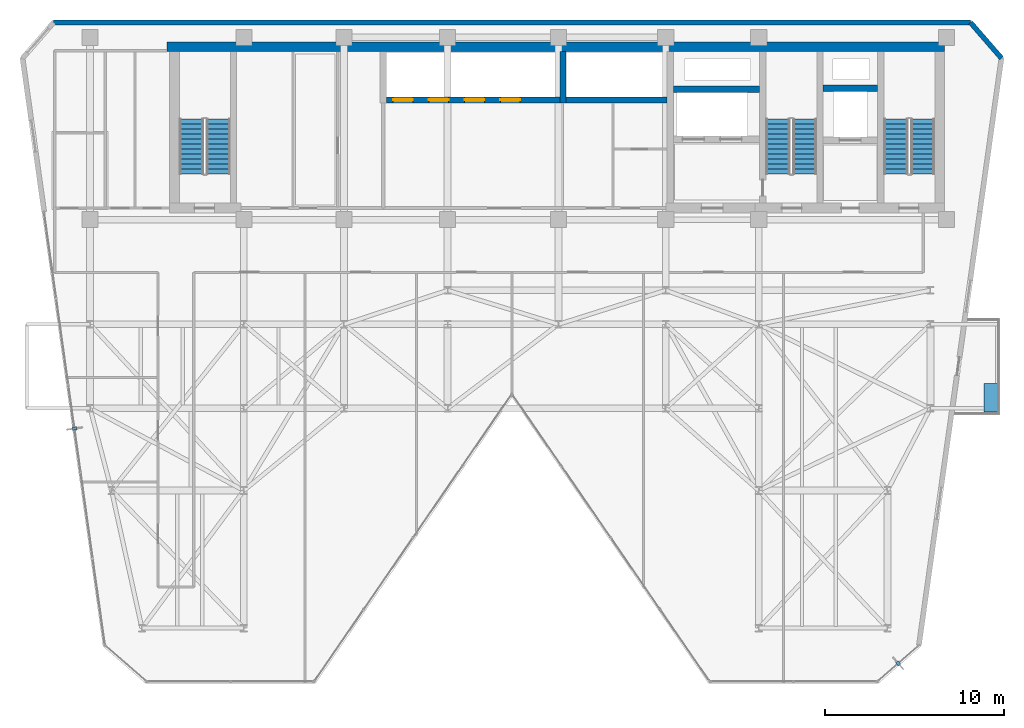
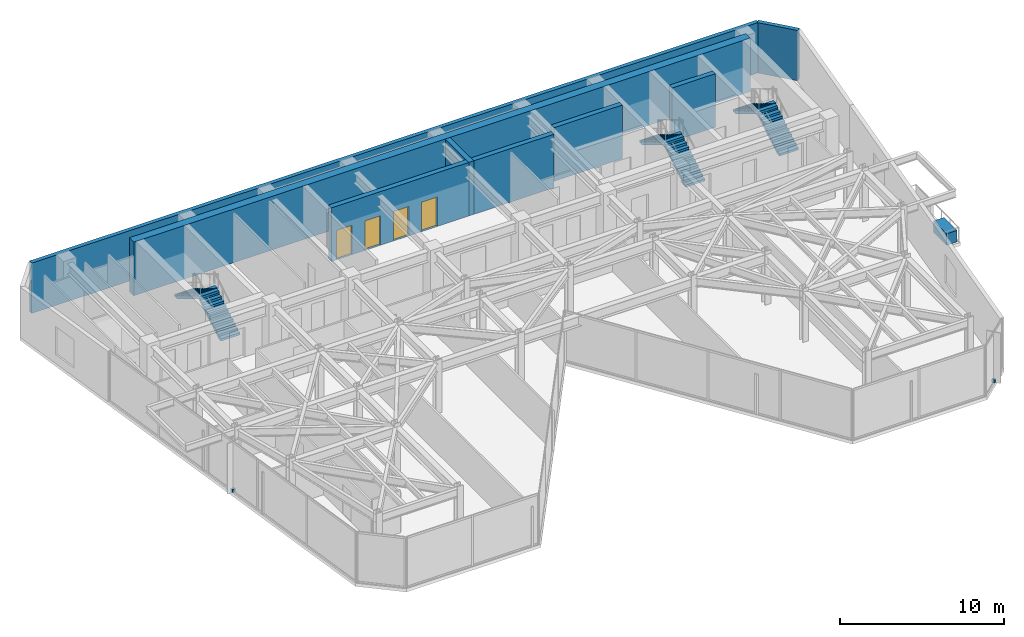
# One storey, part 24 of 27: 8 walls, 6 stair flights, 4 doors, 3 discrete accessories, 4 openings, 3 elements without a shape of their own.
"""IFC4 building model written with IfcOpenShell, lengths in metres."""

from ifc_helpers import new_model, si_unit, direction, frame, frame_2d, origin, origin_2d, place, context, subcontext, project, spatial, polyline, rectangle, outline, extrude, material, layer, layer_set, type_object, element, fill, aggregate, save


model = new_model("IFC4")

# Units and contexts
model_context = context("Model", 3, precision=1e-05, world=origin(), true_north=direction((0.0, 1.0)))
body_context = subcontext(model_context, "Body", "Model", "MODEL_VIEW")
ifc_project = project(units=[si_unit("LENGTHUNIT", "METRE"), si_unit("AREAUNIT", "SQUARE_METRE"), si_unit("VOLUMEUNIT", "CUBIC_METRE"), si_unit("PLANEANGLEUNIT", "RADIAN"), si_unit("MASSUNIT", "GRAM", prefix="KILO")], contexts=[model_context])

# Site, building, storey
site_placement = place(None, origin())
site = spatial("IfcSite", under=ifc_project, at=site_placement, CompositionType="ELEMENT")
building_placement = place(site_placement, origin())
building = spatial("IfcBuilding", under=site, at=building_placement, Name="Kravanh Interchange Tower", CompositionType="ELEMENT")
storey_placement = place(building_placement, frame((0.0, 0.0, 188.5)))
storey = spatial("IfcBuildingStorey", under=building, at=storey_placement, Name="L45", CompositionType="ELEMENT", Elevation=188.5)

# Walls
ifc_material_1 = material(Name="Concrete C60/75", Category="concrete")
ifc_layer_1 = layer(ifc_material_1, 0.35009765625)
ifc_layer_set_1 = layer_set([ifc_layer_1], Name="Core Shear Wall Concrete C60/75 350mm")
wall_type_1 = type_object("IfcWallType", Name="Core Shear Wall Concrete C60/75 350mm", PredefinedType="SHEAR", material=ifc_layer_set_1)
wall_1_placement = place(storey_placement, frame((59.60009765625, 44.699951171875, 0.0), z_axis=(0.0, 0.0, 1.0), x_axis=(1.0, 0.0, 0.0)))
element("IfcWall", 1, at=wall_1_placement, inside=storey, type_object=wall_type_1, Name="L45 Service Lift Shaft North Wall", PredefinedType="SHEAR", context=body_context, shape_type="SweptSolid", body=[
    extrude(rectangle(XDim=3.0498046875, YDim=0.35009765625, at=frame_2d((1.52490234375, 0.0))), origin(), (0.0, 0.0, 1.0), 4.0),
])
wall_2_placement = place(storey_placement, frame((51.22509765625, 44.64990234375, 0.0), z_axis=(0.0, 0.0, 1.0), x_axis=(1.0, 0.0, 0.0)))
element("IfcWall", 2, at=wall_2_placement, inside=storey, type_object=wall_type_1, Name="L45 Fire Lift Shaft North Wall", PredefinedType="SHEAR", context=body_context, shape_type="SweptSolid", body=[
    extrude(rectangle(XDim=4.824951171875, YDim=0.35009765625, at=frame_2d((2.41259765625, 0.0))), origin(), (0.0, 0.0, 1.0), 4.0),
])
wall_3_placement = place(storey_placement, frame((45.22509765625, 44.050048828125, 0.0), z_axis=(0.0, 0.0, 1.0), x_axis=(1.0, 0.0, 0.0)))
element("IfcWall", 3, at=wall_3_placement, inside=storey, type_object=wall_type_1, Name="L45 High-Rise Lift Shaft South Wall", PredefinedType="SHEAR", context=body_context, shape_type="SweptSolid", body=[
    extrude(rectangle(XDim=5.64990234375, YDim=0.35009765625, at=frame_2d((2.824951171875, 0.0))), origin(), (0.0, 0.0, 1.0), 4.0),
])
wall_4_placement = place(storey_placement, frame((45.050048828125, 43.875, 0.0), z_axis=(0.0, 0.0, 1.0), x_axis=(0.0, 1.0, 0.0)))
element("IfcWall", 4, at=wall_4_placement, inside=storey, type_object=wall_type_1, Name="L45 High-Rise Lift Shaft West Wall", PredefinedType="SHEAR", context=body_context, shape_type="SweptSolid", body=[
    extrude(rectangle(XDim=2.875, YDim=0.35009765625, at=frame_2d((1.4375, 0.0))), origin(), (0.0, 0.0, 1.0), 4.0),
])

# Wall, openings, doors
wall_5_placement = place(storey_placement, frame((35.175048828125, 44.050048828125, 0.0), z_axis=(0.0, 0.0, 1.0), x_axis=(1.0, 0.0, 0.0)))
wall_5 = element("IfcWall", 5, at=wall_5_placement, inside=storey, type_object=wall_type_1, Name="L45 Mid-Rise Lift Shaft South Wall", PredefinedType="SHEAR", context=body_context, shape_type="SweptSolid", body=[
    extrude(rectangle(XDim=9.699951171875, YDim=0.35009765625, at=frame_2d((4.85009765625, 0.0))), origin(), (0.0, 0.0, 1.0), 4.0),
])
opening_1_placement = place(wall_5_placement, frame((0.375, 0.0, 0.0)))
opening_1 = element("IfcOpeningElement", 6, at=opening_1_placement, cuts=wall_5, Name="Opening LD01", PredefinedType="OPENING", context=body_context, shape_type="SweptSolid", body=[
    extrude(rectangle(XDim=1.10009765625, YDim=2.199951171875, at=frame_2d((0.550048828125, 1.10009765625))), frame((0.0, 0.18505859375, 0.0), z_axis=(0.0, -1.0, 0.0), x_axis=(1.0, 0.0, 0.0)), (0.0, 0.0, 1.0), 0.3701171875),
])
opening_2_placement = place(wall_5_placement, frame((2.375, 0.0, 0.0)))
opening_2 = element("IfcOpeningElement", 7, at=opening_2_placement, cuts=wall_5, Name="Opening LD01", PredefinedType="OPENING", context=body_context, shape_type="SweptSolid", body=[
    extrude(rectangle(XDim=1.10009765625, YDim=2.199951171875, at=frame_2d((0.550048828125, 1.10009765625))), frame((0.0, 0.18505859375, 0.0), z_axis=(0.0, -1.0, 0.0), x_axis=(1.0, 0.0, 0.0)), (0.0, 0.0, 1.0), 0.3701171875),
])
opening_3_placement = place(wall_5_placement, frame((4.375, 0.0, 0.0)))
opening_3 = element("IfcOpeningElement", 8, at=opening_3_placement, cuts=wall_5, Name="Opening LD01", PredefinedType="OPENING", context=body_context, shape_type="SweptSolid", body=[
    extrude(rectangle(XDim=1.10009765625, YDim=2.199951171875, at=frame_2d((0.550048828125, 1.10009765625))), frame((0.0, 0.18505859375, 0.0), z_axis=(0.0, -1.0, 0.0), x_axis=(1.0, 0.0, 0.0)), (0.0, 0.0, 1.0), 0.3701171875),
])
opening_4_placement = place(wall_5_placement, frame((6.375, 0.0, 0.0)))
opening_4 = element("IfcOpeningElement", 9, at=opening_4_placement, cuts=wall_5, Name="Opening LD01", PredefinedType="OPENING", context=body_context, shape_type="SweptSolid", body=[
    extrude(rectangle(XDim=1.10009765625, YDim=2.199951171875, at=frame_2d((0.550048828125, 1.10009765625))), frame((0.0, 0.18505859375, 0.0), z_axis=(0.0, -1.0, 0.0), x_axis=(1.0, 0.0, 0.0)), (0.0, 0.0, 1.0), 0.3701171875),
])
ifc_material_2 = material(Name="Stainless Steel 304", Category="steel")
door_type = type_object("IfcDoorType", Name="Passenger Lift Sliding Landing Door 1100x2200", OperationType="DOUBLE_DOOR_SLIDING", PredefinedType="DOOR", material=ifc_material_2)
door_1_placement = place(opening_1_placement, origin())
door_1 = element("IfcDoor", 10, at=door_1_placement, inside=storey, type_object=door_type, Name="L45 Lift LP-M1 Landing Door", OperationType="DOUBLE_DOOR_SLIDING", OverallHeight=2.199951171875, OverallWidth=1.10009765625, PredefinedType="DOOR", context=body_context, shape_type="SweptSolid", body=[
    extrude(rectangle(XDim=1.10009765625, YDim=2.199951171875, at=frame_2d((0.550048828125, 1.10009765625))), frame((0.0, 0.02490234375, 0.0), z_axis=(0.0, -1.0, 0.0), x_axis=(1.0, 0.0, 0.0)), (0.0, 0.0, 1.0), 0.050048828125),
])
fill(opening_1, door_1)
door_2_placement = place(opening_2_placement, origin())
door_2 = element("IfcDoor", 11, at=door_2_placement, inside=storey, type_object=door_type, Name="L45 Lift LP-M2 Landing Door", OperationType="DOUBLE_DOOR_SLIDING", OverallHeight=2.199951171875, OverallWidth=1.10009765625, PredefinedType="DOOR", context=body_context, shape_type="SweptSolid", body=[
    extrude(rectangle(XDim=1.10009765625, YDim=2.199951171875, at=frame_2d((0.550048828125, 1.10009765625))), frame((0.0, 0.02490234375, 0.0), z_axis=(0.0, -1.0, 0.0), x_axis=(1.0, 0.0, 0.0)), (0.0, 0.0, 1.0), 0.050048828125),
])
fill(opening_2, door_2)
door_3_placement = place(opening_3_placement, origin())
door_3 = element("IfcDoor", 12, at=door_3_placement, inside=storey, type_object=door_type, Name="L45 Lift LP-M3 Landing Door", OperationType="DOUBLE_DOOR_SLIDING", OverallHeight=2.199951171875, OverallWidth=1.10009765625, PredefinedType="DOOR", context=body_context, shape_type="SweptSolid", body=[
    extrude(rectangle(XDim=1.10009765625, YDim=2.199951171875, at=frame_2d((0.550048828125, 1.10009765625))), frame((0.0, 0.02490234375, 0.0), z_axis=(0.0, -1.0, 0.0), x_axis=(1.0, 0.0, 0.0)), (0.0, 0.0, 1.0), 0.050048828125),
])
fill(opening_3, door_3)
door_4_placement = place(opening_4_placement, origin())
door_4 = element("IfcDoor", 13, at=door_4_placement, inside=storey, type_object=door_type, Name="L45 Lift LP-M4 Landing Door", OperationType="DOUBLE_DOOR_SLIDING", OverallHeight=2.199951171875, OverallWidth=1.10009765625, PredefinedType="DOOR", context=body_context, shape_type="SweptSolid", body=[
    extrude(rectangle(XDim=1.10009765625, YDim=2.199951171875, at=frame_2d((0.550048828125, 1.10009765625))), frame((0.0, 0.02490234375, 0.0), z_axis=(0.0, -1.0, 0.0), x_axis=(1.0, 0.0, 0.0)), (0.0, 0.0, 1.0), 0.050048828125),
])
fill(opening_4, door_4)

# Walls
ifc_material_3 = material(Name="Concrete C70/85", Category="concrete")
ifc_layer_2 = layer(ifc_material_3, 0.550048828125)
ifc_layer_set_2 = layer_set([ifc_layer_2], Name="Core Shear Wall Concrete C70/85 550mm")
wall_type_2 = type_object("IfcWallType", Name="Core Shear Wall Concrete C70/85 550mm", PredefinedType="SHEAR", material=ifc_layer_set_2)
wall_6_placement = place(storey_placement, frame((22.89990234375, 47.02490234375, 0.0), z_axis=(0.0, 0.0, 1.0), x_axis=(1.0, 0.0, 0.0)))
element("IfcWall", 14, at=wall_6_placement, inside=storey, type_object=wall_type_2, Name="L45 North Core Shear Wall", PredefinedType="SHEAR", context=body_context, shape_type="SweptSolid", body=[
    extrude(rectangle(XDim=43.5, YDim=0.550048828125, at=frame_2d((21.75, 0.0))), origin(), (0.0, 0.0, 1.0), 4.0),
])
ifc_material_4 = material(Name="Insulated Precast Concrete C40/50 with Bronze Cladding", Category="concrete")
ifc_layer_3 = layer(ifc_material_4, 0.280029296875)
ifc_layer_set_3 = layer_set([ifc_layer_3], Name="Exterior Insulated Concrete C40/50 Bronze Spandrel Wall 280mm")
wall_type_3 = type_object("IfcWallType", Name="Exterior Insulated Concrete C40/50 Bronze Spandrel Wall 280mm", PredefinedType="STANDARD", material=ifc_layer_set_3)
wall_7_placement = place(storey_placement, frame((16.5546875, 48.3798828125, 0.0), z_axis=(0.0, 0.0, 1.0), x_axis=(1.0, 0.0, 0.0)))
element("IfcWall", 15, at=wall_7_placement, inside=storey, type_object=wall_type_3, Name="L45 Exterior Wall 3", PredefinedType="STANDARD", context=body_context, shape_type="SweptSolid", body=[
    extrude(rectangle(XDim=51.29052734375, YDim=0.280029296875, at=frame_2d((25.645263671875, 0.0))), origin(), (0.0, 0.0, 1.0), 3.7548828125),
])
wall_8_placement = place(storey_placement, frame((67.84521484375, 48.3798828125, 0.0), z_axis=(0.0, 0.0, 1.0), x_axis=(0.656071351282, -0.754698868442, 0.0)))
element("IfcWall", 16, at=wall_8_placement, inside=storey, type_object=wall_type_3, Name="L45 Exterior Wall 4", PredefinedType="STANDARD", context=body_context, shape_type="SweptSolid", body=[
    extrude(rectangle(XDim=2.646240234375, YDim=0.280029296875, at=frame_2d((1.3232421875, 0.0))), origin(), (0.0, 0.0, 1.0), 3.7548828125),
])

# Stair, stair flights
ifc_material_5 = material(Name="Concrete C50/60", Category="concrete")
stair_type = type_object("IfcStairType", Name="Core Fire Exit Dogleg Stair Concrete C50/60", PredefinedType="HALF_TURN_STAIR", material=ifc_material_5)
stair_1_placement = place(storey_placement, origin())
stair_1 = element("IfcStair", 17, at=stair_1_placement, inside=storey, type_object=stair_type, Name="L45 Exit Stair ST1", PredefinedType="HALF_TURN_STAIR")
ifc_material_6 = material(Name="Precast Concrete C50/60", Category="concrete")
ifc_layer_4 = layer(ifc_material_6, 0.199951171875)
ifc_layer_set_4 = layer_set([ifc_layer_4], Name="Precast Concrete C50/60 Stair Flight 1350mm")
stair_flight_type = type_object("IfcStairFlightType", Name="Precast Concrete C50/60 Stair Flight 1350mm", PredefinedType="STRAIGHT", material=ifc_layer_set_4)
stair_flight_1_placement = place(storey_placement, frame((65.175048828125, 39.89990234375, 0.0), z_axis=(0.0, 0.0, 1.0), x_axis=(0.0, 1.0, 0.0)))
stair_flight_1 = element("IfcStairFlight", 18, at=stair_flight_1_placement, type_object=stair_flight_type, Name="ST1 flight 1", NumberOfRisers=12, NumberOfTreads=11, PredefinedType="STRAIGHT", RiserHeight=0.166666667, TreadLength=0.28, context=body_context, shape_type="SweptSolid", body=[
    extrude(outline(polyline([(0.0, 0.0), (0.0, 0.166748046875), (0.280029296875, 0.166748046875), (0.280029296875, 0.333251953125), (0.56005859375, 0.333251953125), (0.56005859375, 0.5), (0.840087890625, 0.5), (0.840087890625, 0.666748046875), (1.1201171875, 0.666748046875), (1.1201171875, 0.833251953125), (1.39990234375, 0.833251953125), (1.39990234375, 1.0), (1.679931640625, 1.0), (1.679931640625, 1.166748046875), (1.9599609375, 1.166748046875), (1.9599609375, 1.333251953125), (2.239990234375, 1.333251953125), (2.239990234375, 1.5), (2.52001953125, 1.5), (2.52001953125, 1.666748046875), (2.800048828125, 1.666748046875), (2.800048828125, 1.833251953125), (3.080078125, 1.833251953125), (3.080078125, 2.0), (3.080078125, 1.658935546875), (0.29296875, 0.0), (0.0, 0.0)])), frame((0.0, 0.675048828125, 0.0), z_axis=(0.0, -1.0, 0.0), x_axis=(1.0, 0.0, 0.0)), (0.0, 0.0, 1.0), 1.35009765625),
])
stair_flight_2_placement = place(storey_placement, frame((63.675048828125, 42.97998046875, 2.0), z_axis=(0.0, 0.0, 1.0), x_axis=(0.0, -1.0, 0.0)))
stair_flight_2 = element("IfcStairFlight", 19, at=stair_flight_2_placement, type_object=stair_flight_type, Name="ST1 flight 2", NumberOfRisers=12, NumberOfTreads=11, PredefinedType="STRAIGHT", RiserHeight=0.166666667, TreadLength=0.28, context=body_context, shape_type="SweptSolid", body=[
    extrude(outline(polyline([(0.0, 0.0), (0.0, 0.166748046875), (0.280029296875, 0.166748046875), (0.280029296875, 0.333251953125), (0.56005859375, 0.333251953125), (0.56005859375, 0.5), (0.840087890625, 0.5), (0.840087890625, 0.666748046875), (1.1201171875, 0.666748046875), (1.1201171875, 0.833251953125), (1.39990234375, 0.833251953125), (1.39990234375, 1.0), (1.679931640625, 1.0), (1.679931640625, 1.166748046875), (1.9599609375, 1.166748046875), (1.9599609375, 1.333251953125), (2.239990234375, 1.333251953125), (2.239990234375, 1.5), (2.52001953125, 1.5), (2.52001953125, 1.666748046875), (2.800048828125, 1.666748046875), (2.800048828125, 1.833251953125), (3.080078125, 1.833251953125), (3.080078125, 2.0), (3.080078125, 1.658935546875), (0.29296875, 0.0), (0.0, 0.0)])), frame((0.0, 0.675048828125, 0.0), z_axis=(0.0, -1.0, 0.0), x_axis=(1.0, 0.0, 0.0)), (0.0, 0.0, 1.0), 1.35009765625),
])
aggregate(stair_1, [stair_flight_1, stair_flight_2])

stair_2_placement = place(storey_placement, origin())
stair_2 = element("IfcStair", 20, at=stair_2_placement, inside=storey, type_object=stair_type, Name="L45 Exit Stair ST2", PredefinedType="HALF_TURN_STAIR")
stair_flight_3_placement = place(storey_placement, frame((58.574951171875, 39.89990234375, 0.0), z_axis=(0.0, 0.0, 1.0), x_axis=(0.0, 1.0, 0.0)))
stair_flight_3 = element("IfcStairFlight", 21, at=stair_flight_3_placement, type_object=stair_flight_type, Name="ST2 flight 1", NumberOfRisers=12, NumberOfTreads=11, PredefinedType="STRAIGHT", RiserHeight=0.166666667, TreadLength=0.28, context=body_context, shape_type="SweptSolid", body=[
    extrude(outline(polyline([(0.0, 0.0), (0.0, 0.166748046875), (0.280029296875, 0.166748046875), (0.280029296875, 0.333251953125), (0.56005859375, 0.333251953125), (0.56005859375, 0.5), (0.840087890625, 0.5), (0.840087890625, 0.666748046875), (1.1201171875, 0.666748046875), (1.1201171875, 0.833251953125), (1.39990234375, 0.833251953125), (1.39990234375, 1.0), (1.679931640625, 1.0), (1.679931640625, 1.166748046875), (1.9599609375, 1.166748046875), (1.9599609375, 1.333251953125), (2.239990234375, 1.333251953125), (2.239990234375, 1.5), (2.52001953125, 1.5), (2.52001953125, 1.666748046875), (2.800048828125, 1.666748046875), (2.800048828125, 1.833251953125), (3.080078125, 1.833251953125), (3.080078125, 2.0), (3.080078125, 1.658935546875), (0.29296875, 0.0), (0.0, 0.0)])), frame((0.0, 0.675048828125, 0.0), z_axis=(0.0, -1.0, 0.0), x_axis=(1.0, 0.0, 0.0)), (0.0, 0.0, 1.0), 1.35009765625),
])
stair_flight_4_placement = place(storey_placement, frame((57.074951171875, 42.97998046875, 2.0), z_axis=(0.0, 0.0, 1.0), x_axis=(0.0, -1.0, 0.0)))
stair_flight_4 = element("IfcStairFlight", 22, at=stair_flight_4_placement, type_object=stair_flight_type, Name="ST2 flight 2", NumberOfRisers=12, NumberOfTreads=11, PredefinedType="STRAIGHT", RiserHeight=0.166666667, TreadLength=0.28, context=body_context, shape_type="SweptSolid", body=[
    extrude(outline(polyline([(0.0, 0.0), (0.0, 0.166748046875), (0.280029296875, 0.166748046875), (0.280029296875, 0.333251953125), (0.56005859375, 0.333251953125), (0.56005859375, 0.5), (0.840087890625, 0.5), (0.840087890625, 0.666748046875), (1.1201171875, 0.666748046875), (1.1201171875, 0.833251953125), (1.39990234375, 0.833251953125), (1.39990234375, 1.0), (1.679931640625, 1.0), (1.679931640625, 1.166748046875), (1.9599609375, 1.166748046875), (1.9599609375, 1.333251953125), (2.239990234375, 1.333251953125), (2.239990234375, 1.5), (2.52001953125, 1.5), (2.52001953125, 1.666748046875), (2.800048828125, 1.666748046875), (2.800048828125, 1.833251953125), (3.080078125, 1.833251953125), (3.080078125, 2.0), (3.080078125, 1.658935546875), (0.29296875, 0.0), (0.0, 0.0)])), frame((0.0, 0.675048828125, 0.0), z_axis=(0.0, -1.0, 0.0), x_axis=(1.0, 0.0, 0.0)), (0.0, 0.0, 1.0), 1.35009765625),
])
aggregate(stair_2, [stair_flight_3, stair_flight_4])

stair_3_placement = place(storey_placement, origin())
stair_3 = element("IfcStair", 23, at=stair_3_placement, inside=storey, type_object=stair_type, Name="L45 Exit Stair ST3", PredefinedType="HALF_TURN_STAIR")
stair_flight_5_placement = place(storey_placement, frame((25.77490234375, 39.89990234375, 0.0), z_axis=(0.0, 0.0, 1.0), x_axis=(0.0, 1.0, 0.0)))
stair_flight_5 = element("IfcStairFlight", 24, at=stair_flight_5_placement, type_object=stair_flight_type, Name="ST3 flight 1", NumberOfRisers=12, NumberOfTreads=11, PredefinedType="STRAIGHT", RiserHeight=0.166666667, TreadLength=0.28, context=body_context, shape_type="SweptSolid", body=[
    extrude(outline(polyline([(0.0, 0.0), (0.0, 0.166748046875), (0.280029296875, 0.166748046875), (0.280029296875, 0.333251953125), (0.56005859375, 0.333251953125), (0.56005859375, 0.5), (0.840087890625, 0.5), (0.840087890625, 0.666748046875), (1.1201171875, 0.666748046875), (1.1201171875, 0.833251953125), (1.39990234375, 0.833251953125), (1.39990234375, 1.0), (1.679931640625, 1.0), (1.679931640625, 1.166748046875), (1.9599609375, 1.166748046875), (1.9599609375, 1.333251953125), (2.239990234375, 1.333251953125), (2.239990234375, 1.5), (2.52001953125, 1.5), (2.52001953125, 1.666748046875), (2.800048828125, 1.666748046875), (2.800048828125, 1.833251953125), (3.080078125, 1.833251953125), (3.080078125, 2.0), (3.080078125, 1.658935546875), (0.29296875, 0.0), (0.0, 0.0)])), frame((0.0, 0.675048828125, 0.0), z_axis=(0.0, -1.0, 0.0), x_axis=(1.0, 0.0, 0.0)), (0.0, 0.0, 1.0), 1.35009765625),
])
stair_flight_6_placement = place(storey_placement, frame((24.27490234375, 42.97998046875, 2.0), z_axis=(0.0, 0.0, 1.0), x_axis=(0.0, -1.0, 0.0)))
stair_flight_6 = element("IfcStairFlight", 25, at=stair_flight_6_placement, type_object=stair_flight_type, Name="ST3 flight 2", NumberOfRisers=12, NumberOfTreads=11, PredefinedType="STRAIGHT", RiserHeight=0.166666667, TreadLength=0.28, context=body_context, shape_type="SweptSolid", body=[
    extrude(outline(polyline([(0.0, 0.0), (0.0, 0.166748046875), (0.280029296875, 0.166748046875), (0.280029296875, 0.333251953125), (0.56005859375, 0.333251953125), (0.56005859375, 0.5), (0.840087890625, 0.5), (0.840087890625, 0.666748046875), (1.1201171875, 0.666748046875), (1.1201171875, 0.833251953125), (1.39990234375, 0.833251953125), (1.39990234375, 1.0), (1.679931640625, 1.0), (1.679931640625, 1.166748046875), (1.9599609375, 1.166748046875), (1.9599609375, 1.333251953125), (2.239990234375, 1.333251953125), (2.239990234375, 1.5), (2.52001953125, 1.5), (2.52001953125, 1.666748046875), (2.800048828125, 1.666748046875), (2.800048828125, 1.833251953125), (3.080078125, 1.833251953125), (3.080078125, 2.0), (3.080078125, 1.658935546875), (0.29296875, 0.0), (0.0, 0.0)])), frame((0.0, 0.675048828125, 0.0), z_axis=(0.0, -1.0, 0.0), x_axis=(1.0, 0.0, 0.0)), (0.0, 0.0, 1.0), 1.35009765625),
])
aggregate(stair_3, [stair_flight_5, stair_flight_6])

# Discrete accessories
ifc_material_7 = material(Name="Stainless Steel 316", Category="steel")
discrete_accessory_type_1 = type_object("IfcDiscreteAccessoryType", Name="Solar Fin Curtain-Wall Mounting Bracket Stainless 316", PredefinedType="BRACKET", material=ifc_material_7)
for number, where, z_axis, x_axis, name in (
    (26, (17.729736328125, 25.67041015625, 0.0), (0.0, 0.0, 1.0), (-0.990268182791, -0.139172289451, 0.0), "L45 Solar Fin Mounting Bracket 1"),
    (27, (63.80322265625, 12.530517578125, 0.0), (0.0, 0.0, 1.0), (0.656059988016, -0.754708746554, 0.0), "L45 Solar Fin Mounting Bracket 2"),
):
    element("IfcDiscreteAccessory", number, at=place(storey_placement, frame(where, z_axis=z_axis, x_axis=x_axis)), inside=storey, type_object=discrete_accessory_type_1, Name=name, PredefinedType="BRACKET", context=body_context, shape_type="SweptSolid", body=[
        extrude(rectangle(XDim=0.239990234375, YDim=0.179931640625, at=origin_2d()), origin(), (0.0, 0.0, 1.0), 0.219970703125),
    ])
ifc_material_8 = material(Name="Architectural GRC Concrete C40/50 with Root Barrier", Category="concrete")
discrete_accessory_type_2 = type_object("IfcDiscreteAccessoryType", Name="Structural Balcony Tree Planter Box Concrete C40/50 1600x750x850", PredefinedType="USERDEFINED", material=ifc_material_8)
discrete_accessory_placement = place(storey_placement, frame((68.969970703125, 27.3798828125, 0.0), z_axis=(0.0, 0.0, 1.0), x_axis=(1.0, 0.0, 0.0)))
element("IfcDiscreteAccessory", 28, at=discrete_accessory_placement, inside=storey, type_object=discrete_accessory_type_2, Name="L45 E Balcony TREE PLANTER", ObjectType="PLANTER", PredefinedType="USERDEFINED", context=body_context, shape_type="SweptSolid", body=[
    extrude(rectangle(XDim=0.75, YDim=1.60009765625, at=origin_2d()), origin(), (0.0, 0.0, 1.0), 0.85009765625),
])

save(model, "model.ifc")
